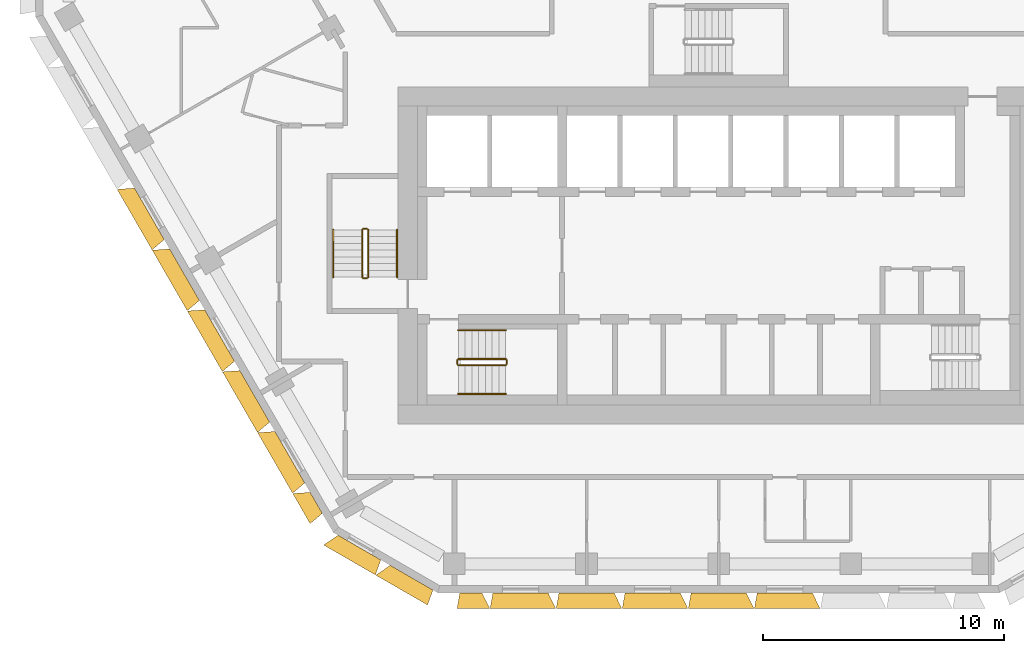
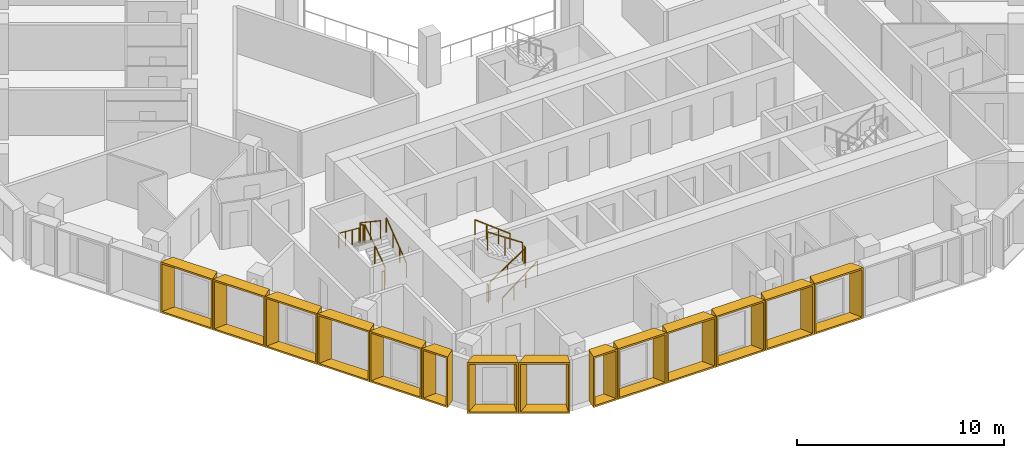
# One storey, part 12 of 15: 14 shading devices, 12 railings.
"""IFC4 building model written with IfcOpenShell, lengths in metres."""

from ifc_helpers import new_model, entity, si_unit, direction, frame, origin, origin_2d, place, context, subcontext, project, spatial, rectangle, extrude, source, transform, mapped, material, type_object, type_shapes, element, save


model = new_model("IFC4")

# Units and contexts
model_context = context("Model", 3, precision=1e-05, world=origin(), true_north=direction((0.0, 1.0)))
body_context = subcontext(model_context, "Body", "Model", "MODEL_VIEW")
ifc_project = project(units=[si_unit("LENGTHUNIT", "METRE"), si_unit("AREAUNIT", "SQUARE_METRE"), si_unit("VOLUMEUNIT", "CUBIC_METRE"), si_unit("PLANEANGLEUNIT", "RADIAN"), si_unit("MASSUNIT", "GRAM", prefix="KILO")], contexts=[model_context])

# Site, building, storey
site_placement = place(None, origin())
site = spatial("IfcSite", under=ifc_project, at=site_placement, CompositionType="ELEMENT")
building_placement = place(site_placement, origin())
building = spatial("IfcBuilding", under=site, at=building_placement, Name="Beryl Residences", CompositionType="ELEMENT")
storey_placement = place(building_placement, frame((0.0, 0.0, 141.60009765625)))
storey = spatial("IfcBuildingStorey", under=building, at=storey_placement, Name="L43", CompositionType="ELEMENT", Elevation=141.60009765625)

# Shading devices
ifc_material_1 = material(Name="Aluminium pale anodised", Category="aluminium")
shading_device_type_1 = type_object("IfcShadingDeviceType", Name="FR137-65C OUTER SKIN frame 650 mm deep, splay 10/26 deg, 1370 x 3000 mm cell", PredefinedType="USERDEFINED", material=ifc_material_1)
cartesian_point_1 = entity("IfcCartesianPoint", [-0.458984375, 0.0])
cartesian_point_2 = entity("IfcCartesianPoint", [-0.377685546875, 0.10009765625])
cartesian_point_3 = entity("IfcCartesianPoint", [-0.57373046875, 0.0])
cartesian_point_4 = entity("IfcCartesianPoint", [-0.492431640625, 0.10009765625])
shared_shape_1 = source(origin(), body_context, "Body", "SweptSolid", [
    entity("IfcExtrudedAreaSolidTapered", entity("IfcArbitraryProfileDefWithVoids", "AREA", None, entity("IfcPolyline", [cartesian_point_1, entity("IfcCartesianPoint", [0.458984375, 0.0]), entity("IfcCartesianPoint", [0.458984375, 3.0]), entity("IfcCartesianPoint", [-0.458984375, 3.0]), cartesian_point_1]), [entity("IfcPolyline", [cartesian_point_2, entity("IfcCartesianPoint", [0.369873046875, 0.10009765625]), entity("IfcCartesianPoint", [0.369873046875, 2.89990234375]), entity("IfcCartesianPoint", [-0.377685546875, 2.89990234375]), cartesian_point_2])]), entity("IfcAxis2Placement3D", entity("IfcCartesianPoint", [0.0, 0.0, 0.0]), entity("IfcDirection", [0.0, 1.0, 0.0]), entity("IfcDirection", [-1.0, 0.0, 0.0])), entity("IfcDirection", [0.0, 0.0, 1.0]), 0.64990234375, entity("IfcArbitraryProfileDefWithVoids", "AREA", None, entity("IfcPolyline", [cartesian_point_3, entity("IfcCartesianPoint", [0.776123046875, 0.0]), entity("IfcCartesianPoint", [0.776123046875, 3.0]), entity("IfcCartesianPoint", [-0.57373046875, 3.0]), cartesian_point_3]), [entity("IfcPolyline", [cartesian_point_4, entity("IfcCartesianPoint", [0.68701171875, 0.10009765625]), entity("IfcCartesianPoint", [0.68701171875, 2.89990234375]), entity("IfcCartesianPoint", [-0.492431640625, 2.89990234375]), cartesian_point_4])])),
])
type_shapes(shading_device_type_1, [shared_shape_1])
shading_device_1_placement = place(storey_placement, frame((-10.282958984375, -26.0, 0.0), z_axis=(0.0, 0.0, 1.0), x_axis=(-1.0, 0.0, 0.0)))
element("IfcShadingDevice", 1, at=shading_device_1_placement, inside=storey, type_object=shading_device_type_1, Name="FR137-65C frame L43 S 1", ObjectType="OUTER SKIN", PredefinedType="USERDEFINED", context=body_context, shape_type="MappedRepresentation", body=[
    mapped(shared_shape_1, transform((0.0, 0.0, 0.0))),
])
ifc_material_2 = material(Name="Aluminium pale anodised", Category="aluminium")
shading_device_type_2 = type_object("IfcShadingDeviceType", Name="FR146-65B OUTER SKIN frame 650 mm deep, splay 26/10 deg, 1460 x 3000 mm cell", PredefinedType="USERDEFINED", material=ifc_material_2)
cartesian_point_5 = entity("IfcCartesianPoint", [-0.50390625, 0.0])
cartesian_point_6 = entity("IfcCartesianPoint", [-0.4150390625, 0.10009765625])
cartesian_point_7 = entity("IfcCartesianPoint", [-0.821044921875, 0.0])
cartesian_point_8 = entity("IfcCartesianPoint", [-0.73193359375, 0.10009765625])
shared_shape_2 = source(origin(), body_context, "Body", "SweptSolid", [
    entity("IfcExtrudedAreaSolidTapered", entity("IfcArbitraryProfileDefWithVoids", "AREA", None, entity("IfcPolyline", [cartesian_point_5, entity("IfcCartesianPoint", [0.50390625, 0.0]), entity("IfcCartesianPoint", [0.50390625, 3.0]), entity("IfcCartesianPoint", [-0.50390625, 3.0]), cartesian_point_5]), [entity("IfcPolyline", [cartesian_point_6, entity("IfcCartesianPoint", [0.4228515625, 0.10009765625]), entity("IfcCartesianPoint", [0.4228515625, 2.89990234375]), entity("IfcCartesianPoint", [-0.4150390625, 2.89990234375]), cartesian_point_6])]), entity("IfcAxis2Placement3D", entity("IfcCartesianPoint", [0.0, 0.0, 0.0]), entity("IfcDirection", [0.0, 1.0, 0.0]), entity("IfcDirection", [-1.0, 0.0, 0.0])), entity("IfcDirection", [0.0, 0.0, 1.0]), 0.64990234375, entity("IfcArbitraryProfileDefWithVoids", "AREA", None, entity("IfcPolyline", [cartesian_point_7, entity("IfcCartesianPoint", [0.61865234375, 0.0]), entity("IfcCartesianPoint", [0.61865234375, 3.0]), entity("IfcCartesianPoint", [-0.821044921875, 3.0]), cartesian_point_7]), [entity("IfcPolyline", [cartesian_point_8, entity("IfcCartesianPoint", [0.537353515625, 0.10009765625]), entity("IfcCartesianPoint", [0.537353515625, 2.89990234375]), entity("IfcCartesianPoint", [-0.73193359375, 2.89990234375]), cartesian_point_8])])),
])
type_shapes(shading_device_type_2, [shared_shape_2])
shading_device_2_placement = place(storey_placement, frame((-16.7041015625, -22.26806640625, 0.0), z_axis=(0.0, 0.0, 1.0), x_axis=(-0.5, 0.866025403784, 0.0)))
element("IfcShadingDevice", 2, at=shading_device_2_placement, inside=storey, type_object=shading_device_type_2, Name="FR146-65B frame L43 SW 9", ObjectType="OUTER SKIN", PredefinedType="USERDEFINED", context=body_context, shape_type="MappedRepresentation", body=[
    mapped(shared_shape_2, transform((0.0, 0.0, 0.0))),
])
ifc_material_3 = material(Name="Aluminium pale anodised", Category="aluminium")
shading_device_type_3 = type_object("IfcShadingDeviceType", Name="FR250-65B OUTER SKIN frame 650 mm deep, splay 26/10 deg, 2500 x 3000 mm cell", PredefinedType="USERDEFINED", material=ifc_material_3)
cartesian_point_9 = entity("IfcCartesianPoint", [-1.02392578125, 0.0])
cartesian_point_10 = entity("IfcCartesianPoint", [-0.93505859375, 0.10009765625])
cartesian_point_11 = entity("IfcCartesianPoint", [-1.341064453125, 0.0])
cartesian_point_12 = entity("IfcCartesianPoint", [-1.251953125, 0.10009765625])
shared_shape_3 = source(origin(), body_context, "Body", "SweptSolid", [
    entity("IfcExtrudedAreaSolidTapered", entity("IfcArbitraryProfileDefWithVoids", "AREA", None, entity("IfcPolyline", [cartesian_point_9, entity("IfcCartesianPoint", [1.02392578125, 0.0]), entity("IfcCartesianPoint", [1.02392578125, 3.0]), entity("IfcCartesianPoint", [-1.02392578125, 3.0]), cartesian_point_9]), [entity("IfcPolyline", [cartesian_point_10, entity("IfcCartesianPoint", [0.94287109375, 0.10009765625]), entity("IfcCartesianPoint", [0.94287109375, 2.89990234375]), entity("IfcCartesianPoint", [-0.93505859375, 2.89990234375]), cartesian_point_10])]), entity("IfcAxis2Placement3D", entity("IfcCartesianPoint", [0.0, 0.0, 0.0]), entity("IfcDirection", [0.0, 1.0, 0.0]), entity("IfcDirection", [-1.0, 0.0, 0.0])), entity("IfcDirection", [0.0, 0.0, 1.0]), 0.64990234375, entity("IfcArbitraryProfileDefWithVoids", "AREA", None, entity("IfcPolyline", [cartesian_point_11, entity("IfcCartesianPoint", [1.138671875, 0.0]), entity("IfcCartesianPoint", [1.138671875, 3.0]), entity("IfcCartesianPoint", [-1.341064453125, 3.0]), cartesian_point_11]), [entity("IfcPolyline", [cartesian_point_12, entity("IfcCartesianPoint", [1.057373046875, 0.10009765625]), entity("IfcCartesianPoint", [1.057373046875, 2.89990234375]), entity("IfcCartesianPoint", [-1.251953125, 2.89990234375]), cartesian_point_12])])),
])
type_shapes(shading_device_type_3, [shared_shape_3])
for number, where, z_axis, x_axis, name in (
    (3, (-14.909912109375, -24.125, 0.0), (0.0, 0.0, 1.0), (-0.866025403784, 0.5, 0.0), "FR250-65B frame L43 SW-S 1"),
    (4, (-12.7451171875, -25.375, 0.0), (0.0, 0.0, 1.0), (-0.866025403784, 0.5, 0.0), "FR250-65B frame L43 SW-S 2"),
):
    element("IfcShadingDevice", number, at=place(storey_placement, frame(where, z_axis=z_axis, x_axis=x_axis)), inside=storey, type_object=shading_device_type_3, Name=name, ObjectType="OUTER SKIN", PredefinedType="USERDEFINED", context=body_context, shape_type="MappedRepresentation", body=[
        mapped(shared_shape_3, transform((0.0, 0.0, 0.0))),
    ])
ifc_material_4 = material(Name="Aluminium pale anodised", Category="aluminium")
shading_device_type_4 = type_object("IfcShadingDeviceType", Name="FR274-65C OUTER SKIN frame 650 mm deep, splay 10/26 deg, 2740 x 3000 mm cell", PredefinedType="USERDEFINED", material=ifc_material_4)
cartesian_point_13 = entity("IfcCartesianPoint", [-1.14404296875, 0.0])
cartesian_point_14 = entity("IfcCartesianPoint", [-1.062744140625, 0.10009765625])
cartesian_point_15 = entity("IfcCartesianPoint", [-1.258544921875, 0.0])
cartesian_point_16 = entity("IfcCartesianPoint", [-1.177490234375, 0.10009765625])
shared_shape_4 = source(origin(), body_context, "Body", "SweptSolid", [
    entity("IfcExtrudedAreaSolidTapered", entity("IfcArbitraryProfileDefWithVoids", "AREA", None, entity("IfcPolyline", [cartesian_point_13, entity("IfcCartesianPoint", [1.14404296875, 0.0]), entity("IfcCartesianPoint", [1.14404296875, 3.0]), entity("IfcCartesianPoint", [-1.14404296875, 3.0]), cartesian_point_13]), [entity("IfcPolyline", [cartesian_point_14, entity("IfcCartesianPoint", [1.054931640625, 0.10009765625]), entity("IfcCartesianPoint", [1.054931640625, 2.89990234375]), entity("IfcCartesianPoint", [-1.062744140625, 2.89990234375]), cartesian_point_14])]), entity("IfcAxis2Placement3D", entity("IfcCartesianPoint", [0.0, 0.0, 0.0]), entity("IfcDirection", [0.0, 1.0, 0.0]), entity("IfcDirection", [-1.0, 0.0, 0.0])), entity("IfcDirection", [0.0, 0.0, 1.0]), 0.64990234375, entity("IfcArbitraryProfileDefWithVoids", "AREA", None, entity("IfcPolyline", [cartesian_point_15, entity("IfcCartesianPoint", [1.4609375, 0.0]), entity("IfcCartesianPoint", [1.4609375, 3.0]), entity("IfcCartesianPoint", [-1.258544921875, 3.0]), cartesian_point_15]), [entity("IfcPolyline", [cartesian_point_16, entity("IfcCartesianPoint", [1.3720703125, 0.10009765625]), entity("IfcCartesianPoint", [1.3720703125, 2.89990234375]), entity("IfcCartesianPoint", [-1.177490234375, 2.89990234375]), cartesian_point_16])])),
])
type_shapes(shading_device_type_4, [shared_shape_4])
for number, where, z_axis, x_axis, name in (
    (5, (-8.22607421875, -26.0, 0.0), (0.0, 0.0, 1.0), (-1.0, 0.0, 0.0), "FR274-65C frame L43 S 2"),
    (6, (-5.48388671875, -26.0, 0.0), (0.0, 0.0, 1.0), (-1.0, 0.0, 0.0), "FR274-65C frame L43 S 3"),
    (7, (-2.741943359375, -26.0, 0.0), (0.0, 0.0, 1.0), (-1.0, 0.0, 0.0), "FR274-65C frame L43 S 4"),
    (8, (0.0009765625, -26.0, 0.0), (0.0, 0.0, 1.0), (-1.0, 0.0, 0.0), "FR274-65C frame L43 S 5"),
    (9, (2.743896484375, -26.0, 0.0), (0.0, 0.0, 1.0), (-1.0, 0.0, 0.0), "FR274-65C frame L43 S 6"),
):
    element("IfcShadingDevice", number, at=place(storey_placement, frame(where, z_axis=z_axis, x_axis=x_axis)), inside=storey, type_object=shading_device_type_4, Name=name, ObjectType="OUTER SKIN", PredefinedType="USERDEFINED", context=body_context, shape_type="MappedRepresentation", body=[
        mapped(shared_shape_4, transform((0.0, 0.0, 0.0))),
    ])
ifc_material_5 = material(Name="Aluminium pale anodised", Category="aluminium")
shading_device_type_5 = type_object("IfcShadingDeviceType", Name="FR292-65B OUTER SKIN frame 650 mm deep, splay 26/10 deg, 2920 x 3000 mm cell", PredefinedType="USERDEFINED", material=ifc_material_5)
cartesian_point_17 = entity("IfcCartesianPoint", [-1.23388671875, 0.0])
cartesian_point_18 = entity("IfcCartesianPoint", [-1.14501953125, 0.10009765625])
cartesian_point_19 = entity("IfcCartesianPoint", [-1.551025390625, 0.0])
cartesian_point_20 = entity("IfcCartesianPoint", [-1.4619140625, 0.10009765625])
shared_shape_5 = source(origin(), body_context, "Body", "SweptSolid", [
    entity("IfcExtrudedAreaSolidTapered", entity("IfcArbitraryProfileDefWithVoids", "AREA", None, entity("IfcPolyline", [cartesian_point_17, entity("IfcCartesianPoint", [1.23388671875, 0.0]), entity("IfcCartesianPoint", [1.23388671875, 3.0]), entity("IfcCartesianPoint", [-1.23388671875, 3.0]), cartesian_point_17]), [entity("IfcPolyline", [cartesian_point_18, entity("IfcCartesianPoint", [1.15283203125, 0.10009765625]), entity("IfcCartesianPoint", [1.15283203125, 2.89990234375]), entity("IfcCartesianPoint", [-1.14501953125, 2.89990234375]), cartesian_point_18])]), entity("IfcAxis2Placement3D", entity("IfcCartesianPoint", [0.0, 0.0, 0.0]), entity("IfcDirection", [0.0, 1.0, 0.0]), entity("IfcDirection", [-1.0, 0.0, 0.0])), entity("IfcDirection", [0.0, 0.0, 1.0]), 0.64990234375, entity("IfcArbitraryProfileDefWithVoids", "AREA", None, entity("IfcPolyline", [cartesian_point_19, entity("IfcCartesianPoint", [1.3486328125, 0.0]), entity("IfcCartesianPoint", [1.3486328125, 3.0]), entity("IfcCartesianPoint", [-1.551025390625, 3.0]), cartesian_point_19]), [entity("IfcPolyline", [cartesian_point_20, entity("IfcCartesianPoint", [1.267333984375, 0.10009765625]), entity("IfcCartesianPoint", [1.267333984375, 2.89990234375]), entity("IfcCartesianPoint", [-1.4619140625, 2.89990234375]), cartesian_point_20])])),
])
type_shapes(shading_device_type_5, [shared_shape_5])
for number, where, z_axis, x_axis, name in (
    (10, (-23.6279296875, -10.27392578125, 0.0), (0.0, 0.0, 1.0), (-0.5, 0.866025403784, 0.0), "FR292-65B frame L43 SW 4"),
    (11, (-22.169921875, -12.799072265625, 0.0), (0.0, 0.0, 1.0), (-0.5, 0.866025403784, 0.0), "FR292-65B frame L43 SW 5"),
    (12, (-20.712890625, -15.323974609375, 0.0), (0.0, 0.0, 1.0), (-0.5, 0.866025403784, 0.0), "FR292-65B frame L43 SW 6"),
    (13, (-19.2548828125, -17.84912109375, 0.0), (0.0, 0.0, 1.0), (-0.5, 0.866025403784, 0.0), "FR292-65B frame L43 SW 7"),
    (14, (-17.797119140625, -20.3740234375, 0.0), (0.0, 0.0, 1.0), (-0.5, 0.866025403784, 0.0), "FR292-65B frame L43 SW 8"),
):
    element("IfcShadingDevice", number, at=place(storey_placement, frame(where, z_axis=z_axis, x_axis=x_axis)), inside=storey, type_object=shading_device_type_5, Name=name, ObjectType="OUTER SKIN", PredefinedType="USERDEFINED", context=body_context, shape_type="MappedRepresentation", body=[
        mapped(shared_shape_5, transform((0.0, 0.0, 0.0))),
    ])

# Railings
ifc_material_6 = material(Name="Stainless steel balustrade with glass infill", Category="steel")
railing_type_1 = type_object("IfcRailingType", Name="SG1 stair guard 1100 mm", PredefinedType="GUARDRAIL", material=ifc_material_6)
railing_1_placement = place(storey_placement, frame((-10.800048828125, -16.550048828125, 0.1875)))
element("IfcRailing", 15, at=railing_1_placement, inside=storey, type_object=railing_type_1, Name="L43 ST-1 stair guard 1", PredefinedType="GUARDRAIL", context=body_context, shape_type="SweptSolid", body=[
    extrude(rectangle(XDim=0.048095703125, YDim=0.048095703125, at=origin_2d()), frame((0.0, 0.0, 1.076171875), z_axis=(0.830902050051, 0.0, 0.556418712142), x_axis=(0.0, 1.0, 0.0)), (0.0, 0.0, 1.0), 2.35888671875),
    extrude(rectangle(XDim=0.0419921875, YDim=0.0419921875, at=origin_2d()), origin(), (0.0, 0.0, 1.0), 1.052001953125),
    extrude(rectangle(XDim=0.0419921875, YDim=0.0419921875, at=origin_2d()), frame((0.97998046875, 0.0, 0.65625)), (0.0, 0.0, 1.0), 1.052001953125),
    extrude(rectangle(XDim=0.0419921875, YDim=0.0419921875, at=origin_2d()), frame((1.9599609375, 0.0, 1.3125)), (0.0, 0.0, 1.0), 1.052001953125),
])
railing_2_placement = place(storey_placement, frame((-8.7900390625, -16.5, 1.5)))
element("IfcRailing", 16, at=railing_2_placement, inside=storey, type_object=railing_type_1, Name="L43 ST-1 stair guard 2", PredefinedType="GUARDRAIL", context=body_context, shape_type="SweptSolid", body=[
    extrude(rectangle(XDim=0.048095703125, YDim=0.048095703125, at=origin_2d()), frame((0.0, 0.0, 1.076171875), z_axis=(0.0, 1.0, 0.0), x_axis=(-1.0, 0.0, 0.0)), (0.0, 0.0, 1.0), 0.14990234375),
    extrude(rectangle(XDim=0.0419921875, YDim=0.0419921875, at=origin_2d()), origin(), (0.0, 0.0, 1.0), 1.052001953125),
    extrude(rectangle(XDim=0.0419921875, YDim=0.0419921875, at=origin_2d()), frame((0.0, 0.14990234375, 0.0)), (0.0, 0.0, 1.0), 1.052001953125),
])
railing_3_placement = place(storey_placement, frame((-8.840087890625, -16.300048828125, 1.6875)))
element("IfcRailing", 17, at=railing_3_placement, inside=storey, type_object=railing_type_1, Name="L43 ST-1 stair guard 3", PredefinedType="GUARDRAIL", context=body_context, shape_type="SweptSolid", body=[
    extrude(rectangle(XDim=0.048095703125, YDim=0.048095703125, at=origin_2d()), frame((0.0, 0.0, 1.076171875), z_axis=(-0.830902050051, 0.0, 0.556418712142), x_axis=(0.0, -1.0, 0.0)), (0.0, 0.0, 1.0), 2.35888671875),
    extrude(rectangle(XDim=0.0419921875, YDim=0.0419921875, at=origin_2d()), origin(), (0.0, 0.0, 1.0), 1.052001953125),
    extrude(rectangle(XDim=0.0419921875, YDim=0.0419921875, at=origin_2d()), frame((-0.97998046875, 0.0, 0.65625)), (0.0, 0.0, 1.0), 1.052001953125),
    extrude(rectangle(XDim=0.0419921875, YDim=0.0419921875, at=origin_2d()), frame((-1.9599609375, 0.0, 1.3125)), (0.0, 0.0, 1.0), 1.052001953125),
])
railing_4_placement = place(storey_placement, frame((-10.85009765625, -16.5, 0.0)))
element("IfcRailing", 18, at=railing_4_placement, inside=storey, type_object=railing_type_1, Name="L43 ST-1 stair guard 4", PredefinedType="GUARDRAIL", context=body_context, shape_type="SweptSolid", body=[
    extrude(rectangle(XDim=0.048095703125, YDim=0.048095703125, at=origin_2d()), frame((0.0, 0.0, 1.076171875), z_axis=(0.0, 1.0, 0.0), x_axis=(-1.0, 0.0, 0.0)), (0.0, 0.0, 1.0), 0.14990234375),
    extrude(rectangle(XDim=0.0419921875, YDim=0.0419921875, at=origin_2d()), origin(), (0.0, 0.0, 1.0), 1.052001953125),
    extrude(rectangle(XDim=0.0419921875, YDim=0.0419921875, at=origin_2d()), frame((0.0, 0.14990234375, 0.0)), (0.0, 0.0, 1.0), 1.052001953125),
])
railing_5_placement = place(storey_placement, frame((-14.550048828125, -12.89990234375, 0.1875)))
element("IfcRailing", 19, at=railing_5_placement, inside=storey, type_object=railing_type_1, Name="L43 ST-2 stair guard 1", PredefinedType="GUARDRAIL", context=body_context, shape_type="SweptSolid", body=[
    extrude(rectangle(XDim=0.048095703125, YDim=0.048095703125, at=origin_2d()), frame((0.0, 0.0, 1.076171875), z_axis=(0.0, 0.830902050051, 0.556418712142), x_axis=(-1.0, 0.0, 0.0)), (0.0, 0.0, 1.0), 2.35888671875),
    extrude(rectangle(XDim=0.0419921875, YDim=0.0419921875, at=origin_2d()), origin(), (0.0, 0.0, 1.0), 1.052001953125),
    extrude(rectangle(XDim=0.0419921875, YDim=0.0419921875, at=origin_2d()), frame((0.0, 0.97998046875, 0.65625)), (0.0, 0.0, 1.0), 1.052001953125),
    extrude(rectangle(XDim=0.0419921875, YDim=0.0419921875, at=origin_2d()), frame((0.0, 1.9599609375, 1.3125)), (0.0, 0.0, 1.0), 1.052001953125),
])
railing_6_placement = place(storey_placement, frame((-14.60009765625, -10.889892578125, 1.5)))
element("IfcRailing", 20, at=railing_6_placement, inside=storey, type_object=railing_type_1, Name="L43 ST-2 stair guard 2", PredefinedType="GUARDRAIL", context=body_context, shape_type="SweptSolid", body=[
    extrude(rectangle(XDim=0.048095703125, YDim=0.048095703125, at=origin_2d()), frame((0.0, 0.0, 1.076171875), z_axis=(-1.0, 0.0, 0.0), x_axis=(0.0, -1.0, 0.0)), (0.0, 0.0, 1.0), 0.14990234375),
    extrude(rectangle(XDim=0.0419921875, YDim=0.0419921875, at=origin_2d()), origin(), (0.0, 0.0, 1.0), 1.052001953125),
    extrude(rectangle(XDim=0.0419921875, YDim=0.0419921875, at=origin_2d()), frame((-0.14990234375, 0.0, 0.0)), (0.0, 0.0, 1.0), 1.052001953125),
])
railing_7_placement = place(storey_placement, frame((-14.800048828125, -10.93994140625, 1.6875)))
element("IfcRailing", 21, at=railing_7_placement, inside=storey, type_object=railing_type_1, Name="L43 ST-2 stair guard 3", PredefinedType="GUARDRAIL", context=body_context, shape_type="SweptSolid", body=[
    extrude(rectangle(XDim=0.048095703125, YDim=0.048095703125, at=origin_2d()), frame((0.0, 0.0, 1.076171875), z_axis=(0.0, -0.830902050051, 0.556418712142), x_axis=(1.0, 0.0, 0.0)), (0.0, 0.0, 1.0), 2.35888671875),
    extrude(rectangle(XDim=0.0419921875, YDim=0.0419921875, at=origin_2d()), origin(), (0.0, 0.0, 1.0), 1.052001953125),
    extrude(rectangle(XDim=0.0419921875, YDim=0.0419921875, at=origin_2d()), frame((0.0, -0.97998046875, 0.65625)), (0.0, 0.0, 1.0), 1.052001953125),
    extrude(rectangle(XDim=0.0419921875, YDim=0.0419921875, at=origin_2d()), frame((0.0, -1.9599609375, 1.3125)), (0.0, 0.0, 1.0), 1.052001953125),
])
railing_8_placement = place(storey_placement, frame((-14.60009765625, -12.949951171875, 0.0)))
element("IfcRailing", 22, at=railing_8_placement, inside=storey, type_object=railing_type_1, Name="L43 ST-2 stair guard 4", PredefinedType="GUARDRAIL", context=body_context, shape_type="SweptSolid", body=[
    extrude(rectangle(XDim=0.048095703125, YDim=0.048095703125, at=origin_2d()), frame((0.0, 0.0, 1.076171875), z_axis=(-1.0, 0.0, 0.0), x_axis=(0.0, -1.0, 0.0)), (0.0, 0.0, 1.0), 0.14990234375),
    extrude(rectangle(XDim=0.0419921875, YDim=0.0419921875, at=origin_2d()), origin(), (0.0, 0.0, 1.0), 1.052001953125),
    extrude(rectangle(XDim=0.0419921875, YDim=0.0419921875, at=origin_2d()), frame((-0.14990234375, 0.0, 0.0)), (0.0, 0.0, 1.0), 1.052001953125),
])
ifc_material_7 = material(Name="Stainless steel handrail", Category="steel")
railing_type_2 = type_object("IfcRailingType", Name="SRL1 stair handrail 900 mm", PredefinedType="HANDRAIL", material=ifc_material_7)
railing_9_placement = place(storey_placement, frame((-10.800048828125, -17.75, 0.1875)))
element("IfcRailing", 23, at=railing_9_placement, inside=storey, type_object=railing_type_2, Name="L43 ST-1 stair handrail 1", PredefinedType="HANDRAIL", context=body_context, shape_type="SweptSolid", body=[
    extrude(rectangle(XDim=0.048095703125, YDim=0.048095703125, at=origin_2d()), frame((0.0, 0.0, 0.8759765625), z_axis=(0.794121922505, 0.0, 0.607758481798), x_axis=(0.0, 1.0, 0.0)), (0.0, 0.0, 1.0), 2.468017578125),
    extrude(rectangle(XDim=0.0419921875, YDim=0.0419921875, at=origin_2d()), origin(), (0.0, 0.0, 1.0), 0.851806640625),
    extrude(rectangle(XDim=0.0419921875, YDim=0.0419921875, at=origin_2d()), frame((0.6533203125, 0.0, 0.5)), (0.0, 0.0, 1.0), 0.851806640625),
    extrude(rectangle(XDim=0.0419921875, YDim=0.0419921875, at=origin_2d()), frame((1.306640625, 0.0, 1.0)), (0.0, 0.0, 1.0), 0.851806640625),
    extrude(rectangle(XDim=0.0419921875, YDim=0.0419921875, at=origin_2d()), frame((1.9599609375, 0.0, 1.5)), (0.0, 0.0, 1.0), 0.851806640625),
])
railing_10_placement = place(storey_placement, frame((-8.840087890625, -15.10009765625, 1.6875)))
element("IfcRailing", 24, at=railing_10_placement, inside=storey, type_object=railing_type_2, Name="L43 ST-1 stair handrail 2", PredefinedType="HANDRAIL", context=body_context, shape_type="SweptSolid", body=[
    extrude(rectangle(XDim=0.048095703125, YDim=0.048095703125, at=origin_2d()), frame((0.0, 0.0, 0.8759765625), z_axis=(-0.794121922505, 0.0, 0.607758481798), x_axis=(0.0, -1.0, 0.0)), (0.0, 0.0, 1.0), 2.468017578125),
    extrude(rectangle(XDim=0.0419921875, YDim=0.0419921875, at=origin_2d()), origin(), (0.0, 0.0, 1.0), 0.851806640625),
    extrude(rectangle(XDim=0.0419921875, YDim=0.0419921875, at=origin_2d()), frame((-0.6533203125, 0.0, 0.5)), (0.0, 0.0, 1.0), 0.851806640625),
    extrude(rectangle(XDim=0.0419921875, YDim=0.0419921875, at=origin_2d()), frame((-1.306640625, 0.0, 1.0)), (0.0, 0.0, 1.0), 0.851806640625),
    extrude(rectangle(XDim=0.0419921875, YDim=0.0419921875, at=origin_2d()), frame((-1.9599609375, 0.0, 1.5)), (0.0, 0.0, 1.0), 0.851806640625),
])
railing_11_placement = place(storey_placement, frame((-13.35009765625, -12.89990234375, 0.1875)))
element("IfcRailing", 25, at=railing_11_placement, inside=storey, type_object=railing_type_2, Name="L43 ST-2 stair handrail 1", PredefinedType="HANDRAIL", context=body_context, shape_type="SweptSolid", body=[
    extrude(rectangle(XDim=0.048095703125, YDim=0.048095703125, at=origin_2d()), frame((0.0, 0.0, 0.8759765625), z_axis=(0.0, 0.794121922505, 0.607758481798), x_axis=(-1.0, 0.0, 0.0)), (0.0, 0.0, 1.0), 2.468017578125),
    extrude(rectangle(XDim=0.0419921875, YDim=0.0419921875, at=origin_2d()), origin(), (0.0, 0.0, 1.0), 0.851806640625),
    extrude(rectangle(XDim=0.0419921875, YDim=0.0419921875, at=origin_2d()), frame((0.0, 0.6533203125, 0.5)), (0.0, 0.0, 1.0), 0.851806640625),
    extrude(rectangle(XDim=0.0419921875, YDim=0.0419921875, at=origin_2d()), frame((0.0, 1.306640625, 1.0)), (0.0, 0.0, 1.0), 0.851806640625),
    extrude(rectangle(XDim=0.0419921875, YDim=0.0419921875, at=origin_2d()), frame((0.0, 1.9599609375, 1.5)), (0.0, 0.0, 1.0), 0.851806640625),
])
railing_12_placement = place(storey_placement, frame((-16.0, -10.93994140625, 1.6875)))
element("IfcRailing", 26, at=railing_12_placement, inside=storey, type_object=railing_type_2, Name="L43 ST-2 stair handrail 2", PredefinedType="HANDRAIL", context=body_context, shape_type="SweptSolid", body=[
    extrude(rectangle(XDim=0.048095703125, YDim=0.048095703125, at=origin_2d()), frame((0.0, 0.0, 0.8759765625), z_axis=(0.0, -0.794121922505, 0.607758481798), x_axis=(1.0, 0.0, 0.0)), (0.0, 0.0, 1.0), 2.468017578125),
    extrude(rectangle(XDim=0.0419921875, YDim=0.0419921875, at=origin_2d()), origin(), (0.0, 0.0, 1.0), 0.851806640625),
    extrude(rectangle(XDim=0.0419921875, YDim=0.0419921875, at=origin_2d()), frame((0.0, -0.6533203125, 0.5)), (0.0, 0.0, 1.0), 0.851806640625),
    extrude(rectangle(XDim=0.0419921875, YDim=0.0419921875, at=origin_2d()), frame((0.0, -1.306640625, 1.0)), (0.0, 0.0, 1.0), 0.851806640625),
    extrude(rectangle(XDim=0.0419921875, YDim=0.0419921875, at=origin_2d()), frame((0.0, -1.9599609375, 1.5)), (0.0, 0.0, 1.0), 0.851806640625),
])

save(model, "model.ifc")
